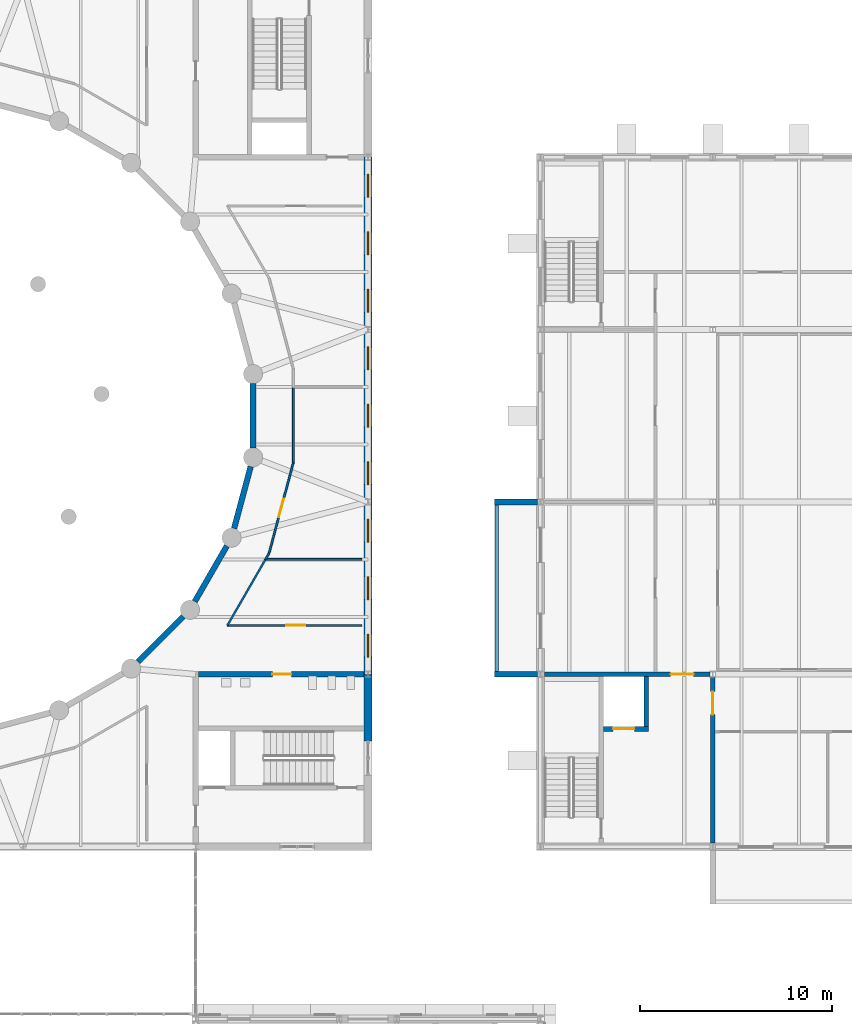
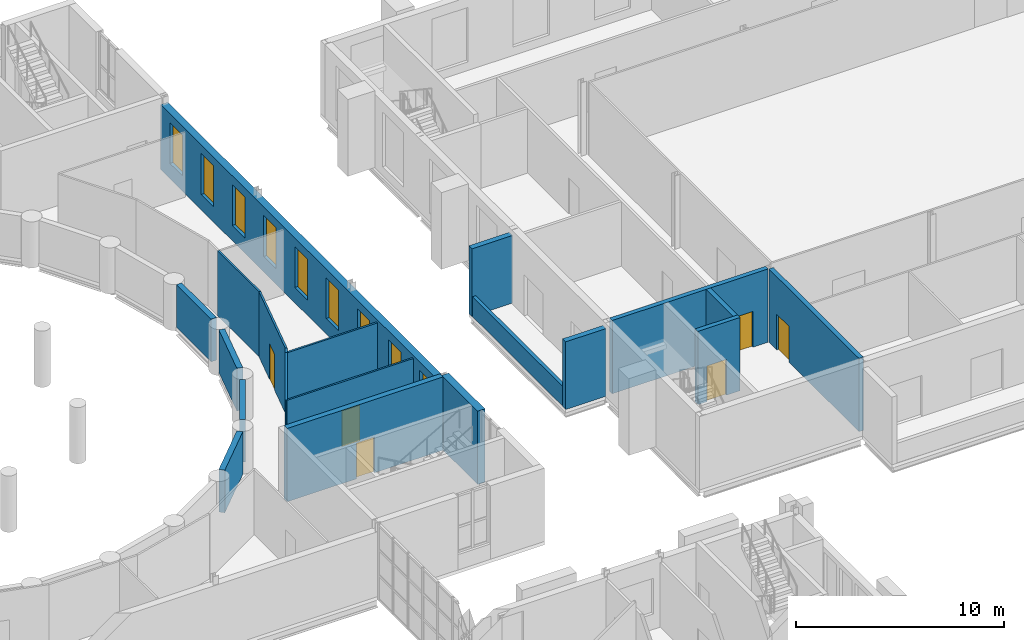
# One storey, part 84 of 134: 20 walls, 9 windows, 6 doors, 15 openings.
"""IFC4 building model written with IfcOpenShell, lengths in metres."""

from ifc_helpers import new_model, si_unit, direction, frame, frame_2d, origin, place, context, subcontext, project, spatial, rectangle, extrude, material, layer, layer_set, type_object, element, fill, save


model = new_model("IFC4")

# Units and contexts
model_context = context("Model", 3, precision=1e-05, world=origin(), true_north=direction((0.0, 1.0)))
body_context = subcontext(model_context, "Body", "Model", "MODEL_VIEW")
ifc_project = project(units=[si_unit("LENGTHUNIT", "METRE"), si_unit("AREAUNIT", "SQUARE_METRE"), si_unit("VOLUMEUNIT", "CUBIC_METRE"), si_unit("PLANEANGLEUNIT", "RADIAN"), si_unit("MASSUNIT", "GRAM", prefix="KILO")], contexts=[model_context])

# Site, building, storey
site_placement = place(None, origin())
site = spatial("IfcSite", under=ifc_project, at=site_placement, CompositionType="ELEMENT")
building_placement = place(site_placement, origin())
building = spatial("IfcBuilding", under=site, at=building_placement, Name="Golden Quay Civic Hall", CompositionType="ELEMENT")
storey_placement = place(building_placement, frame((0.0, 0.0, 5.39990234375)))
storey = spatial("IfcBuildingStorey", under=building, at=storey_placement, Name="L01", CompositionType="ELEMENT", Elevation=5.39990234375)

# Walls
ifc_material_1 = material(Name="Brick, dark clay facing", Category="masonry")
ifc_layer_1 = layer(ifc_material_1, 0.199951171875)
ifc_layer_set_1 = layer_set([ifc_layer_1], Name="Brick balustrade wall 200")
wall_type_1 = type_object("IfcWallType", Name="Brick balustrade wall 200", PredefinedType="STANDARD", material=ifc_layer_set_1)
wall_1_placement = place(storey_placement, frame((114.719970703125, 72.14990234375, 0.0), z_axis=(0.0, 0.0, 1.0), x_axis=(0.0, 1.0, 0.0)))
element("IfcWall", 1, at=wall_1_placement, inside=storey, type_object=wall_type_1, Name="Brick balustrade wall 200 L01 12", PredefinedType="STANDARD", context=body_context, shape_type="SweptSolid", body=[
    extrude(rectangle(XDim=8.7001953125, YDim=0.199951171875, at=frame_2d((4.35009765625, 0.0))), origin(), (0.0, 0.0, 1.0), 1.150146484375),
])
ifc_material_2 = material(Name="Brick, dark clay facing", Category="masonry")
ifc_layer_2 = layer(ifc_material_2, 0.300048828125)
ifc_layer_set_2 = layer_set([ifc_layer_2], Name="Brick loggia wall 300")
wall_type_2 = type_object("IfcWallType", Name="Brick loggia wall 300", PredefinedType="STANDARD", material=ifc_layer_set_2)
for number, where, z_axis, x_axis, name in (
    (2, (116.85009765625, 72.0, 0.0), (0.0, 0.0, 1.0), (-1.0, 0.0, 0.0), "Brick loggia wall 300 L01 20"),
    (3, (116.85009765625, 81.0, 0.0), (0.0, 0.0, 1.0), (-1.0, 0.0, 0.0), "Brick loggia wall 300 L01 21"),
):
    element("IfcWall", number, at=place(storey_placement, frame(where, z_axis=z_axis, x_axis=x_axis)), inside=storey, type_object=wall_type_2, Name=name, PredefinedType="STANDARD", context=body_context, shape_type="SweptSolid", body=[
        extrude(rectangle(XDim=2.25, YDim=0.300048828125, at=frame_2d((1.125, 0.0))), origin(), (0.0, 0.0, 1.0), 3.97021484375),
    ])

# Wall, opening, door
ifc_material_3 = material(Name="Concrete C40/50", Category="concrete")
ifc_layer_3 = layer(ifc_material_3, 0.25)
ifc_layer_set_3 = layer_set([ifc_layer_3], Name="Concrete core wall 250, Concrete C40/50")
wall_type_3 = type_object("IfcWallType", Name="Concrete core wall 250", PredefinedType="SHEAR", material=ifc_layer_set_3)
wall_2_placement = place(storey_placement, frame((126.0, 63.199951171875, 0.0), z_axis=(0.0, 0.0, 1.0), x_axis=(0.0, 1.0, 0.0)))
wall_2 = element("IfcWall", 4, at=wall_2_placement, inside=storey, type_object=wall_type_3, Name="L01 core wall W east boundary", PredefinedType="SHEAR", context=body_context, shape_type="SweptSolid", body=[
    extrude(rectangle(XDim=8.650146484375, YDim=0.25, at=frame_2d((4.3251953125, 0.0))), origin(), (0.0, 0.0, 1.0), 4.300048828125),
])
opening_1_placement = place(wall_2_placement, frame((6.699951171875, 0.0, 0.0)))
opening_1 = element("IfcOpeningElement", 5, at=opening_1_placement, cuts=wall_2, Name="Opening L01-D217", PredefinedType="OPENING", context=body_context, shape_type="SweptSolid", body=[
    extrude(rectangle(XDim=1.199951171875, YDim=2.10009765625, at=frame_2d((0.60009765625, 1.050048828125))), frame((0.0, 0.135009765625, 0.0), z_axis=(0.0, -1.0, 0.0), x_axis=(1.0, 0.0, 0.0)), (0.0, 0.0, 1.0), 0.27001953125),
])
ifc_material_4 = material(Name="Steel", Category="steel")
door_type_1 = type_object("IfcDoorType", Name="Steel fire door FD60 1200 x 2100", OperationType="SINGLE_SWING_LEFT", PredefinedType="DOOR", material=ifc_material_4)
door_1_placement = place(opening_1_placement, frame((1.199951171875, 0.0, 0.0), z_axis=(0.0, 0.0, 1.0), x_axis=(-1.0, 0.0, 0.0)))
door_1 = element("IfcDoor", 6, at=door_1_placement, inside=storey, type_object=door_type_1, Name="Lobby door LB-W", OperationType="SINGLE_SWING_RIGHT", OverallHeight=2.10009765625, OverallWidth=1.199951171875, PredefinedType="DOOR", context=body_context, shape_type="SweptSolid", body=[
    extrude(rectangle(XDim=1.199951171875, YDim=2.10009765625, at=frame_2d((0.599853515625, 1.050048828125))), frame((0.0, 0.025146484375, 0.0), z_axis=(0.0, -1.0, 0.0), x_axis=(1.0, 0.0, 0.0)), (0.0, 0.0, 1.0), 0.050048828125),
])
fill(opening_1, door_1)

wall_3_placement = place(storey_placement, frame((117.199951171875, 72.0, 0.0), z_axis=(0.0, 0.0, 1.0), x_axis=(1.0, 0.0, 0.0)))
wall_3 = element("IfcWall", 7, at=wall_3_placement, inside=storey, type_object=wall_type_3, Name="L01 core wall W north boundary", PredefinedType="SHEAR", context=body_context, shape_type="SweptSolid", body=[
    extrude(rectangle(XDim=8.650146484375, YDim=0.25, at=frame_2d((4.3251953125, 0.0))), origin(), (0.0, 0.0, 1.0), 4.300048828125),
])
opening_2_placement = place(wall_3_placement, frame((6.60009765625, 0.0, 0.0)))
opening_2 = element("IfcOpeningElement", 8, at=opening_2_placement, cuts=wall_3, Name="Opening L01-D216", PredefinedType="OPENING", context=body_context, shape_type="SweptSolid", body=[
    extrude(rectangle(XDim=1.199951171875, YDim=2.10009765625, at=frame_2d((0.60009765625, 1.050048828125))), frame((0.0, 0.135009765625, 0.0), z_axis=(0.0, -1.0, 0.0), x_axis=(1.0, 0.0, 0.0)), (0.0, 0.0, 1.0), 0.27001953125),
])
door_2_placement = place(opening_2_placement, origin())
door_2 = element("IfcDoor", 9, at=door_2_placement, inside=storey, type_object=door_type_1, Name="Lobby door LB-W", OperationType="SINGLE_SWING_LEFT", OverallHeight=2.10009765625, OverallWidth=1.199951171875, PredefinedType="DOOR", context=body_context, shape_type="SweptSolid", body=[
    extrude(rectangle(XDim=1.199951171875, YDim=2.10009765625, at=frame_2d((0.60009765625, 1.050048828125))), frame((0.0, 0.02490234375, 0.0), z_axis=(0.0, -1.0, 0.0), x_axis=(1.0, 0.0, 0.0)), (0.0, 0.0, 1.0), 0.050048828125),
])
fill(opening_2, door_2)

wall_4_placement = place(storey_placement, frame((120.300048828125, 69.14990234375, 0.0), z_axis=(0.0, 0.0, 1.0), x_axis=(1.0, 0.0, 0.0)))
wall_4 = element("IfcWall", 10, at=wall_4_placement, inside=storey, type_object=wall_type_3, Name="L01 core wall W lift south", PredefinedType="SHEAR", context=body_context, shape_type="SweptSolid", body=[
    extrude(rectangle(XDim=2.349853515625, YDim=0.25, at=frame_2d((1.1748046875, 0.0))), origin(), (0.0, 0.0, 1.0), 4.300048828125),
])
opening_3_placement = place(wall_4_placement, frame((0.5, 0.0, 0.0)))
opening_3 = element("IfcOpeningElement", 11, at=opening_3_placement, cuts=wall_4, Name="Opening L01-D215", PredefinedType="OPENING", context=body_context, shape_type="SweptSolid", body=[
    extrude(rectangle(XDim=1.10009765625, YDim=2.10009765625, at=frame_2d((0.550048828125, 1.050048828125))), frame((0.0, 0.135009765625, 0.0), z_axis=(0.0, -1.0, 0.0), x_axis=(1.0, 0.0, 0.0)), (0.0, 0.0, 1.0), 0.27001953125),
])
ifc_material_5 = material(Name="Steel", Category="steel")
door_type_2 = type_object("IfcDoorType", Name="Lift landing door 1100 x 2100", OperationType="SLIDING_TO_LEFT", PredefinedType="DOOR", material=ifc_material_5)
door_3_placement = place(opening_3_placement, origin())
door_3 = element("IfcDoor", 12, at=door_3_placement, inside=storey, type_object=door_type_2, Name="Lift landing door", OperationType="SLIDING_TO_LEFT", OverallHeight=2.10009765625, OverallWidth=1.10009765625, PredefinedType="DOOR", context=body_context, shape_type="SweptSolid", body=[
    extrude(rectangle(XDim=1.10009765625, YDim=2.10009765625, at=frame_2d((0.550048828125, 1.050048828125))), frame((0.0, 0.02490234375, 0.0), z_axis=(0.0, -1.0, 0.0), x_axis=(1.0, 0.0, 0.0)), (0.0, 0.0, 1.0), 0.050048828125),
])
fill(opening_3, door_3)

# Walls
wall_5_placement = place(storey_placement, frame((122.52490234375, 69.27490234375, 0.0), z_axis=(0.0, 0.0, 1.0), x_axis=(0.0, 1.0, 0.0)))
element("IfcWall", 13, at=wall_5_placement, inside=storey, type_object=wall_type_3, Name="L01 core wall W lift east", PredefinedType="SHEAR", context=body_context, shape_type="SweptSolid", body=[
    extrude(rectangle(XDim=2.60009765625, YDim=0.25, at=frame_2d((1.300048828125, 0.0))), origin(), (0.0, 0.0, 1.0), 4.300048828125),
])
ifc_material_6 = material(Name="Plasterboard on steel studs", Category="steel")
ifc_layer_4 = layer(ifc_material_6, 0.10009765625)
ifc_layer_set_4 = layer_set([ifc_layer_4], Name="Partition 100 stud")
wall_type_4 = type_object("IfcWallType", Name="Partition 100 stud", PredefinedType="PARTITIONING", material=ifc_layer_set_4)
wall_6_placement = place(storey_placement, frame((107.679931640625, 78.0, 0.0), z_axis=(0.0, 0.0, 1.0), x_axis=(-1.0, 0.0, 0.0)))
element("IfcWall", 14, at=wall_6_placement, inside=storey, type_object=wall_type_4, Name="Partition 32", PredefinedType="PARTITIONING", context=body_context, shape_type="SweptSolid", body=[
    extrude(rectangle(XDim=5.03271484375, YDim=0.10009765625, at=frame_2d((2.516357421875, 0.0))), origin(), (0.0, 0.0, 1.0), 3.81005859375),
])
ifc_material_7 = material(Name="Gypsum board on steel stud", Category="steel")
ifc_layer_5 = layer(ifc_material_7, 0.10009765625)
ifc_layer_set_5 = layer_set([ifc_layer_5], Name="Partition 100 stud fire EI 60")
wall_type_5 = type_object("IfcWallType", Name="Partition 100 stud fire EI 60", PredefinedType="PARTITIONING", material=ifc_layer_set_5)
wall_7_placement = place(storey_placement, frame((102.658935546875, 78.02001953125, 0.0), z_axis=(0.0, 0.0, 1.0), x_axis=(-0.500005512359, -0.866022221199, 0.0)))
element("IfcWall", 15, at=wall_7_placement, inside=storey, type_object=wall_type_5, Name="Partition 33", PredefinedType="PARTITIONING", context=body_context, shape_type="SweptSolid", body=[
    extrude(rectangle(XDim=4.0068359375, YDim=0.10009765625, at=frame_2d((2.00341796875, 0.0))), origin(), (0.0, 0.0, 1.0), 3.81005859375),
])

# Wall, opening, door
wall_8_placement = place(storey_placement, frame((100.655517578125, 74.550048828125, 0.0), z_axis=(0.0, 0.0, 1.0), x_axis=(1.0, 0.0, 0.0)))
wall_8 = element("IfcWall", 16, at=wall_8_placement, inside=storey, type_object=wall_type_5, Name="Partition 34", PredefinedType="PARTITIONING", context=body_context, shape_type="SweptSolid", body=[
    extrude(rectangle(XDim=7.0244140625, YDim=0.10009765625, at=frame_2d((3.51220703125, 0.0))), origin(), (0.0, 0.0, 1.0), 3.81005859375),
])
opening_4_placement = place(wall_8_placement, frame((3.072265625, 0.0, 0.0)))
opening_4 = element("IfcOpeningElement", 17, at=opening_4_placement, cuts=wall_8, Name="Opening L01-D186", PredefinedType="OPENING", context=body_context, shape_type="SweptSolid", body=[
    extrude(rectangle(XDim=1.0, YDim=2.10009765625, at=frame_2d((0.5, 1.050048828125))), frame((0.0, 0.06005859375, 0.0), z_axis=(0.0, -1.0, 0.0), x_axis=(1.0, 0.0, 0.0)), (0.0, 0.0, 1.0), 0.1201171875),
])
ifc_material_8 = material(Name="Timber", Category="wood")
door_type_3 = type_object("IfcDoorType", Name="Timber fire door FD30S 1000 x 2100", OperationType="SINGLE_SWING_LEFT", PredefinedType="DOOR", material=ifc_material_8)
door_4_placement = place(opening_4_placement, origin())
door_4 = element("IfcDoor", 18, at=door_4_placement, inside=storey, type_object=door_type_3, Name="Door Chamber Clerks' Office 2", OperationType="SINGLE_SWING_LEFT", OverallHeight=2.10009765625, OverallWidth=1.0, PredefinedType="DOOR", context=body_context, shape_type="SweptSolid", body=[
    extrude(rectangle(XDim=1.0, YDim=2.10009765625, at=frame_2d((0.5, 1.050048828125))), frame((0.0, 0.02490234375, 0.0), z_axis=(0.0, -1.0, 0.0), x_axis=(1.0, 0.0, 0.0)), (0.0, 0.0, 1.0), 0.050048828125),
])
fill(opening_4, door_4)

# Wall
wall_9_placement = place(storey_placement, frame((104.10009765625, 87.02001953125, 0.0), z_axis=(0.0, 0.0, 1.0), x_axis=(0.0, -1.0, 0.0)))
element("IfcWall", 19, at=wall_9_placement, inside=storey, type_object=wall_type_5, Name="Partition 36", PredefinedType="PARTITIONING", context=body_context, shape_type="SweptSolid", body=[
    extrude(rectangle(XDim=3.96875, YDim=0.10009765625, at=frame_2d((1.984375, 0.0))), origin(), (0.0, 0.0, 1.0), 3.81005859375),
])

# Wall, opening, door
wall_10_placement = place(storey_placement, frame((104.10009765625, 83.05126953125, 0.0), z_axis=(0.0, 0.0, 1.0), x_axis=(-0.258829112515, -0.965923128678, 0.0)))
wall_10 = element("IfcWall", 20, at=wall_10_placement, inside=storey, type_object=wall_type_5, Name="Partition 37", PredefinedType="PARTITIONING", context=body_context, shape_type="SweptSolid", body=[
    extrude(rectangle(XDim=4.8974609375, YDim=0.10009765625, at=frame_2d((2.44873046875, 0.0))), origin(), (0.0, 0.0, 1.0), 3.81005859375),
])
opening_5_placement = place(wall_10_placement, frame((1.94873046875, 0.0, 0.0)))
opening_5 = element("IfcOpeningElement", 21, at=opening_5_placement, cuts=wall_10, Name="Opening L01-D187", PredefinedType="OPENING", context=body_context, shape_type="SweptSolid", body=[
    extrude(rectangle(XDim=1.0, YDim=2.10009765625, at=frame_2d((0.5, 1.050048828125))), frame((0.0, 0.06005859375, 0.0), z_axis=(0.0, -1.0, 0.0), x_axis=(1.0, 0.0, 0.0)), (0.0, 0.0, 1.0), 0.1201171875),
])
door_5_placement = place(opening_5_placement, origin())
door_5 = element("IfcDoor", 22, at=door_5_placement, inside=storey, type_object=door_type_3, Name="Door Chamber Clerks' Office 3", OperationType="SINGLE_SWING_LEFT", OverallHeight=2.10009765625, OverallWidth=1.0, PredefinedType="DOOR", context=body_context, shape_type="SweptSolid", body=[
    extrude(rectangle(XDim=1.0, YDim=2.10009765625, at=frame_2d((0.5, 1.050048828125))), frame((0.0, 0.02490234375, 0.0), z_axis=(0.0, -1.0, 0.0), x_axis=(1.0, 0.0, 0.0)), (0.0, 0.0, 1.0), 0.050048828125),
])
fill(opening_5, door_5)

# Wall
wall_11_placement = place(storey_placement, frame((102.83251953125, 78.32080078125, 0.0), z_axis=(0.0, 0.0, 1.0), x_axis=(-0.500173430036, -0.86592525075, 0.0)))
element("IfcWall", 23, at=wall_11_placement, inside=storey, type_object=wall_type_5, Name="Partition 38", PredefinedType="PARTITIONING", context=body_context, shape_type="SweptSolid", body=[
    extrude(rectangle(XDim=0.390380859375, YDim=0.10009765625, at=frame_2d((0.1953125, 0.0))), origin(), (0.0, 0.0, 1.0), 3.81005859375),
])

# Wall, opening, door
ifc_material_9 = material(Name="Concrete C40/50", Category="concrete")
ifc_layer_6 = layer(ifc_material_9, 0.300048828125)
ifc_layer_set_6 = layer_set([ifc_layer_6], Name="Reinforced concrete core wall 300, Concrete C40/50")
wall_type_6 = type_object("IfcWallType", Name="Reinforced concrete core wall 300", PredefinedType="SHEAR", material=ifc_layer_set_6)
wall_12_placement = place(storey_placement, frame((107.800048828125, 72.0, 0.0), z_axis=(0.0, 0.0, 1.0), x_axis=(-1.0, 0.0, 0.0)))
wall_12 = element("IfcWall", 24, at=wall_12_placement, inside=storey, type_object=wall_type_6, Name="Core wall SE B", PredefinedType="SHEAR", context=body_context, shape_type="SweptSolid", body=[
    extrude(rectangle(XDim=8.650146484375, YDim=0.300048828125, at=frame_2d((4.3251953125, 0.0))), origin(), (0.0, 0.0, 1.0), 4.300048828125),
])
opening_6_placement = place(wall_12_placement, frame((3.800048828125, 0.0, 0.0)))
opening_6 = element("IfcOpeningElement", 25, at=opening_6_placement, cuts=wall_12, Name="Opening L01-D170", PredefinedType="OPENING", context=body_context, shape_type="SweptSolid", body=[
    extrude(rectangle(XDim=1.0, YDim=2.10009765625, at=frame_2d((0.5, 1.050048828125))), frame((0.0, 0.159912109375, 0.0), z_axis=(0.0, -1.0, 0.0), x_axis=(1.0, 0.0, 0.0)), (0.0, 0.0, 1.0), 0.320068359375),
])
ifc_material_10 = material(Name="Steel", Category="steel")
door_type_4 = type_object("IfcDoorType", Name="Steel fire door FD60 1000 x 2100", OperationType="SINGLE_SWING_LEFT", PredefinedType="DOOR", material=ifc_material_10)
door_6_placement = place(opening_6_placement, origin())
door_6 = element("IfcDoor", 26, at=door_6_placement, inside=storey, type_object=door_type_4, Name="Service door SE", OperationType="SINGLE_SWING_LEFT", OverallHeight=2.10009765625, OverallWidth=1.0, PredefinedType="DOOR", context=body_context, shape_type="SweptSolid", body=[
    extrude(rectangle(XDim=1.0, YDim=2.10009765625, at=frame_2d((0.5, 1.050048828125))), frame((0.0, 0.02490234375, 0.0), z_axis=(0.0, -1.0, 0.0), x_axis=(1.0, 0.0, 0.0)), (0.0, 0.0, 1.0), 0.050048828125),
])
fill(opening_6, door_6)

# Wall, openings, windows
ifc_material_11 = material(Name="Brick masonry with render", Category="masonry")
ifc_layer_7 = layer(ifc_material_11, 0.39990234375)
ifc_layer_set_7 = layer_set([ifc_layer_7], Name="Rendered brick external wall 400")
wall_type_7 = type_object("IfcWallType", Name="Rendered brick external wall 400", PredefinedType="STANDARD", material=ifc_layer_set_7)
wall_13_placement = place(storey_placement, frame((108.0, 72.0, 0.0), z_axis=(0.0, 0.0, 1.0), x_axis=(0.0, 1.0, 0.0)))
wall_13 = element("IfcWall", 27, at=wall_13_placement, inside=storey, type_object=wall_type_7, Name="Base wall E 72", PredefinedType="STANDARD", context=body_context, shape_type="SweptSolid", body=[
    extrude(rectangle(XDim=27.0, YDim=0.39990234375, at=frame_2d((13.5, 0.0))), origin(), (0.0, 0.0, 1.0), 3.81005859375),
])
opening_7_placement = place(wall_13_placement, frame((0.89990234375, 0.0, 0.89990234375)))
opening_7 = element("IfcOpeningElement", 28, at=opening_7_placement, cuts=wall_13, Name="Opening WN7", PredefinedType="OPENING", context=body_context, shape_type="SweptSolid", body=[
    extrude(rectangle(XDim=1.199951171875, YDim=2.39990234375, at=frame_2d((0.60009765625, 1.199951171875))), frame((0.0, 0.2099609375, 0.0), z_axis=(0.0, -1.0, 0.0), x_axis=(1.0, 0.0, 0.0)), (0.0, 0.0, 1.0), 0.419921875),
])
opening_8_placement = place(wall_13_placement, frame((3.89990234375, 0.0, 0.89990234375)))
opening_8 = element("IfcOpeningElement", 29, at=opening_8_placement, cuts=wall_13, Name="Opening WN7", PredefinedType="OPENING", context=body_context, shape_type="SweptSolid", body=[
    extrude(rectangle(XDim=1.199951171875, YDim=2.39990234375, at=frame_2d((0.60009765625, 1.199951171875))), frame((0.0, 0.2099609375, 0.0), z_axis=(0.0, -1.0, 0.0), x_axis=(1.0, 0.0, 0.0)), (0.0, 0.0, 1.0), 0.419921875),
])
opening_9_placement = place(wall_13_placement, frame((6.89990234375, 0.0, 0.89990234375)))
opening_9 = element("IfcOpeningElement", 30, at=opening_9_placement, cuts=wall_13, Name="Opening WN7", PredefinedType="OPENING", context=body_context, shape_type="SweptSolid", body=[
    extrude(rectangle(XDim=1.199951171875, YDim=2.39990234375, at=frame_2d((0.60009765625, 1.199951171875))), frame((0.0, 0.2099609375, 0.0), z_axis=(0.0, -1.0, 0.0), x_axis=(1.0, 0.0, 0.0)), (0.0, 0.0, 1.0), 0.419921875),
])
opening_10_placement = place(wall_13_placement, frame((9.89990234375, 0.0, 0.89990234375)))
opening_10 = element("IfcOpeningElement", 31, at=opening_10_placement, cuts=wall_13, Name="Opening WN7", PredefinedType="OPENING", context=body_context, shape_type="SweptSolid", body=[
    extrude(rectangle(XDim=1.199951171875, YDim=2.39990234375, at=frame_2d((0.60009765625, 1.199951171875))), frame((0.0, 0.2099609375, 0.0), z_axis=(0.0, -1.0, 0.0), x_axis=(1.0, 0.0, 0.0)), (0.0, 0.0, 1.0), 0.419921875),
])
opening_11_placement = place(wall_13_placement, frame((12.89990234375, 0.0, 0.89990234375)))
opening_11 = element("IfcOpeningElement", 32, at=opening_11_placement, cuts=wall_13, Name="Opening WN7", PredefinedType="OPENING", context=body_context, shape_type="SweptSolid", body=[
    extrude(rectangle(XDim=1.199951171875, YDim=2.39990234375, at=frame_2d((0.60009765625, 1.199951171875))), frame((0.0, 0.2099609375, 0.0), z_axis=(0.0, -1.0, 0.0), x_axis=(1.0, 0.0, 0.0)), (0.0, 0.0, 1.0), 0.419921875),
])
opening_12_placement = place(wall_13_placement, frame((15.89990234375, 0.0, 0.89990234375)))
opening_12 = element("IfcOpeningElement", 33, at=opening_12_placement, cuts=wall_13, Name="Opening WN7", PredefinedType="OPENING", context=body_context, shape_type="SweptSolid", body=[
    extrude(rectangle(XDim=1.199951171875, YDim=2.39990234375, at=frame_2d((0.60009765625, 1.199951171875))), frame((0.0, 0.2099609375, 0.0), z_axis=(0.0, -1.0, 0.0), x_axis=(1.0, 0.0, 0.0)), (0.0, 0.0, 1.0), 0.419921875),
])
opening_13_placement = place(wall_13_placement, frame((18.89990234375, 0.0, 0.89990234375)))
opening_13 = element("IfcOpeningElement", 34, at=opening_13_placement, cuts=wall_13, Name="Opening WN7", PredefinedType="OPENING", context=body_context, shape_type="SweptSolid", body=[
    extrude(rectangle(XDim=1.199951171875, YDim=2.39990234375, at=frame_2d((0.60009765625, 1.199951171875))), frame((0.0, 0.2099609375, 0.0), z_axis=(0.0, -1.0, 0.0), x_axis=(1.0, 0.0, 0.0)), (0.0, 0.0, 1.0), 0.419921875),
])
opening_14_placement = place(wall_13_placement, frame((21.89990234375, 0.0, 0.89990234375)))
opening_14 = element("IfcOpeningElement", 35, at=opening_14_placement, cuts=wall_13, Name="Opening WN7", PredefinedType="OPENING", context=body_context, shape_type="SweptSolid", body=[
    extrude(rectangle(XDim=1.199951171875, YDim=2.39990234375, at=frame_2d((0.60009765625, 1.199951171875))), frame((0.0, 0.2099609375, 0.0), z_axis=(0.0, -1.0, 0.0), x_axis=(1.0, 0.0, 0.0)), (0.0, 0.0, 1.0), 0.419921875),
])
opening_15_placement = place(wall_13_placement, frame((24.89990234375, 0.0, 0.89990234375)))
opening_15 = element("IfcOpeningElement", 36, at=opening_15_placement, cuts=wall_13, Name="Opening WN7", PredefinedType="OPENING", context=body_context, shape_type="SweptSolid", body=[
    extrude(rectangle(XDim=1.199951171875, YDim=2.39990234375, at=frame_2d((0.60009765625, 1.199951171875))), frame((0.0, 0.2099609375, 0.0), z_axis=(0.0, -1.0, 0.0), x_axis=(1.0, 0.0, 0.0)), (0.0, 0.0, 1.0), 0.419921875),
])
ifc_material_12 = material(Name="Aluminium frame, double glazed", Category="aluminium")
window_type = type_object("IfcWindowType", Name="Window 1200 x 2400", PartitioningType="SINGLE_PANEL", PredefinedType="WINDOW", material=ifc_material_12)
window_1_placement = place(opening_7_placement, origin())
window_1 = element("IfcWindow", 37, at=window_1_placement, inside=storey, type_object=window_type, Name="Window E1", OverallHeight=2.39990234375, OverallWidth=1.199951171875, PartitioningType="SINGLE_PANEL", PredefinedType="WINDOW", context=body_context, shape_type="SweptSolid", body=[
    extrude(rectangle(XDim=1.199951171875, YDim=2.39990234375, at=frame_2d((0.60009765625, 1.199951171875))), frame((0.0, 0.030029296875, 0.0), z_axis=(0.0, -1.0, 0.0), x_axis=(1.0, 0.0, 0.0)), (0.0, 0.0, 1.0), 0.06005859375),
])
fill(opening_7, window_1)
window_2_placement = place(opening_8_placement, origin())
window_2 = element("IfcWindow", 38, at=window_2_placement, inside=storey, type_object=window_type, Name="Window E2", OverallHeight=2.39990234375, OverallWidth=1.199951171875, PartitioningType="SINGLE_PANEL", PredefinedType="WINDOW", context=body_context, shape_type="SweptSolid", body=[
    extrude(rectangle(XDim=1.199951171875, YDim=2.39990234375, at=frame_2d((0.60009765625, 1.199951171875))), frame((0.0, 0.030029296875, 0.0), z_axis=(0.0, -1.0, 0.0), x_axis=(1.0, 0.0, 0.0)), (0.0, 0.0, 1.0), 0.06005859375),
])
fill(opening_8, window_2)
window_3_placement = place(opening_9_placement, origin())
window_3 = element("IfcWindow", 39, at=window_3_placement, inside=storey, type_object=window_type, Name="Window E3", OverallHeight=2.39990234375, OverallWidth=1.199951171875, PartitioningType="SINGLE_PANEL", PredefinedType="WINDOW", context=body_context, shape_type="SweptSolid", body=[
    extrude(rectangle(XDim=1.199951171875, YDim=2.39990234375, at=frame_2d((0.60009765625, 1.199951171875))), frame((0.0, 0.030029296875, 0.0), z_axis=(0.0, -1.0, 0.0), x_axis=(1.0, 0.0, 0.0)), (0.0, 0.0, 1.0), 0.06005859375),
])
fill(opening_9, window_3)
window_4_placement = place(opening_10_placement, origin())
window_4 = element("IfcWindow", 40, at=window_4_placement, inside=storey, type_object=window_type, Name="Window E4", OverallHeight=2.39990234375, OverallWidth=1.199951171875, PartitioningType="SINGLE_PANEL", PredefinedType="WINDOW", context=body_context, shape_type="SweptSolid", body=[
    extrude(rectangle(XDim=1.199951171875, YDim=2.39990234375, at=frame_2d((0.60009765625, 1.199951171875))), frame((0.0, 0.030029296875, 0.0), z_axis=(0.0, -1.0, 0.0), x_axis=(1.0, 0.0, 0.0)), (0.0, 0.0, 1.0), 0.06005859375),
])
fill(opening_10, window_4)
window_5_placement = place(opening_11_placement, origin())
window_5 = element("IfcWindow", 41, at=window_5_placement, inside=storey, type_object=window_type, Name="Window E5", OverallHeight=2.39990234375, OverallWidth=1.199951171875, PartitioningType="SINGLE_PANEL", PredefinedType="WINDOW", context=body_context, shape_type="SweptSolid", body=[
    extrude(rectangle(XDim=1.199951171875, YDim=2.39990234375, at=frame_2d((0.60009765625, 1.199951171875))), frame((0.0, 0.030029296875, 0.0), z_axis=(0.0, -1.0, 0.0), x_axis=(1.0, 0.0, 0.0)), (0.0, 0.0, 1.0), 0.06005859375),
])
fill(opening_11, window_5)
window_6_placement = place(opening_12_placement, origin())
window_6 = element("IfcWindow", 42, at=window_6_placement, inside=storey, type_object=window_type, Name="Window E6", OverallHeight=2.39990234375, OverallWidth=1.199951171875, PartitioningType="SINGLE_PANEL", PredefinedType="WINDOW", context=body_context, shape_type="SweptSolid", body=[
    extrude(rectangle(XDim=1.199951171875, YDim=2.39990234375, at=frame_2d((0.60009765625, 1.199951171875))), frame((0.0, 0.030029296875, 0.0), z_axis=(0.0, -1.0, 0.0), x_axis=(1.0, 0.0, 0.0)), (0.0, 0.0, 1.0), 0.06005859375),
])
fill(opening_12, window_6)
window_7_placement = place(opening_13_placement, origin())
window_7 = element("IfcWindow", 43, at=window_7_placement, inside=storey, type_object=window_type, Name="Window E7", OverallHeight=2.39990234375, OverallWidth=1.199951171875, PartitioningType="SINGLE_PANEL", PredefinedType="WINDOW", context=body_context, shape_type="SweptSolid", body=[
    extrude(rectangle(XDim=1.199951171875, YDim=2.39990234375, at=frame_2d((0.60009765625, 1.199951171875))), frame((0.0, 0.030029296875, 0.0), z_axis=(0.0, -1.0, 0.0), x_axis=(1.0, 0.0, 0.0)), (0.0, 0.0, 1.0), 0.06005859375),
])
fill(opening_13, window_7)
window_8_placement = place(opening_14_placement, origin())
window_8 = element("IfcWindow", 44, at=window_8_placement, inside=storey, type_object=window_type, Name="Window E8", OverallHeight=2.39990234375, OverallWidth=1.199951171875, PartitioningType="SINGLE_PANEL", PredefinedType="WINDOW", context=body_context, shape_type="SweptSolid", body=[
    extrude(rectangle(XDim=1.199951171875, YDim=2.39990234375, at=frame_2d((0.60009765625, 1.199951171875))), frame((0.0, 0.030029296875, 0.0), z_axis=(0.0, -1.0, 0.0), x_axis=(1.0, 0.0, 0.0)), (0.0, 0.0, 1.0), 0.06005859375),
])
fill(opening_14, window_8)
window_9_placement = place(opening_15_placement, origin())
window_9 = element("IfcWindow", 45, at=window_9_placement, inside=storey, type_object=window_type, Name="Window E9", OverallHeight=2.39990234375, OverallWidth=1.199951171875, PartitioningType="SINGLE_PANEL", PredefinedType="WINDOW", context=body_context, shape_type="SweptSolid", body=[
    extrude(rectangle(XDim=1.199951171875, YDim=2.39990234375, at=frame_2d((0.60009765625, 1.199951171875))), frame((0.0, 0.030029296875, 0.0), z_axis=(0.0, -1.0, 0.0), x_axis=(1.0, 0.0, 0.0)), (0.0, 0.0, 1.0), 0.06005859375),
])
fill(opening_15, window_9)

# Walls
ifc_material_13 = material(Name="Brick masonry with render", Category="masonry")
ifc_layer_8 = layer(ifc_material_13, 0.39990234375)
ifc_layer_set_8 = layer_set([ifc_layer_8], Name="Rendered brick external wall 400 fire EI 120")
wall_type_8 = type_object("IfcWallType", Name="Rendered brick external wall 400 fire EI 120", PredefinedType="STANDARD", material=ifc_layer_set_8)
wall_14_placement = place(storey_placement, frame((108.0, 68.52490234375, 0.0), z_axis=(0.0, 0.0, 1.0), x_axis=(0.0, 1.0, 0.0)))
element("IfcWall", 46, at=wall_14_placement, inside=storey, type_object=wall_type_8, Name="Base wall E 63 (beyond the bay)", PredefinedType="STANDARD", context=body_context, shape_type="SweptSolid", body=[
    extrude(rectangle(XDim=3.47509765625, YDim=0.39990234375, at=frame_2d((1.737548828125, 0.0))), origin(), (0.0, 0.0, 1.0), 4.300048828125),
])
ifc_material_14 = material(Name="Concrete C30/37", Category="concrete")
ifc_layer_9 = layer(ifc_material_14, 0.300048828125)
ifc_layer_set_9 = layer_set([ifc_layer_9], Name="Rotunda enclosure wall 300")
wall_type_9 = type_object("IfcWallType", Name="Rotunda enclosure wall 300", PredefinedType="PARTITIONING", material=ifc_layer_set_9)
wall_15_placement = place(storey_placement, frame((95.98486328125, 72.650390625, 0.0), z_axis=(0.0, 0.0, 1.0), x_axis=(0.707106781187, 0.707106781187, 0.0)))
element("IfcWall", 47, at=wall_15_placement, inside=storey, type_object=wall_type_9, Name="Rotunda wall 21", PredefinedType="PARTITIONING", context=body_context, shape_type="SweptSolid", body=[
    extrude(rectangle(XDim=3.34423828125, YDim=0.300048828125, at=frame_2d((1.672119140625, 0.0))), origin(), (0.0, 0.0, 1.0), 2.5),
])
for number, where, z_axis, x_axis, name in (
    (48, (98.953369140625, 75.8017578125, 0.0), (0.0, 0.0, 1.0), (0.49996257386, 0.866047010698, 0.0), "Rotunda wall 22"),
    (49, (101.0048828125, 79.6142578125, 0.0), (0.0, 0.0, 1.0), (0.258852846257, 0.965916768663, 0.0), "Rotunda wall 23"),
):
    element("IfcWall", number, at=place(storey_placement, frame(where, z_axis=z_axis, x_axis=x_axis)), inside=storey, type_object=wall_type_9, Name=name, PredefinedType="PARTITIONING", context=body_context, shape_type="SweptSolid", body=[
        extrude(rectangle(XDim=3.344482421875, YDim=0.300048828125, at=frame_2d((1.67236328125, 0.0))), origin(), (0.0, 0.0, 1.0), 2.5),
    ])
wall_16_placement = place(storey_placement, frame((102.0, 83.82763671875, 0.0), z_axis=(0.0, 0.0, 1.0), x_axis=(0.0, 1.0, 0.0)))
element("IfcWall", 50, at=wall_16_placement, inside=storey, type_object=wall_type_9, Name="Rotunda wall 24", PredefinedType="PARTITIONING", context=body_context, shape_type="SweptSolid", body=[
    extrude(rectangle(XDim=3.3447265625, YDim=0.300048828125, at=frame_2d((1.67236328125, 0.0))), origin(), (0.0, 0.0, 1.0), 2.5),
])

save(model, "model.ifc")
